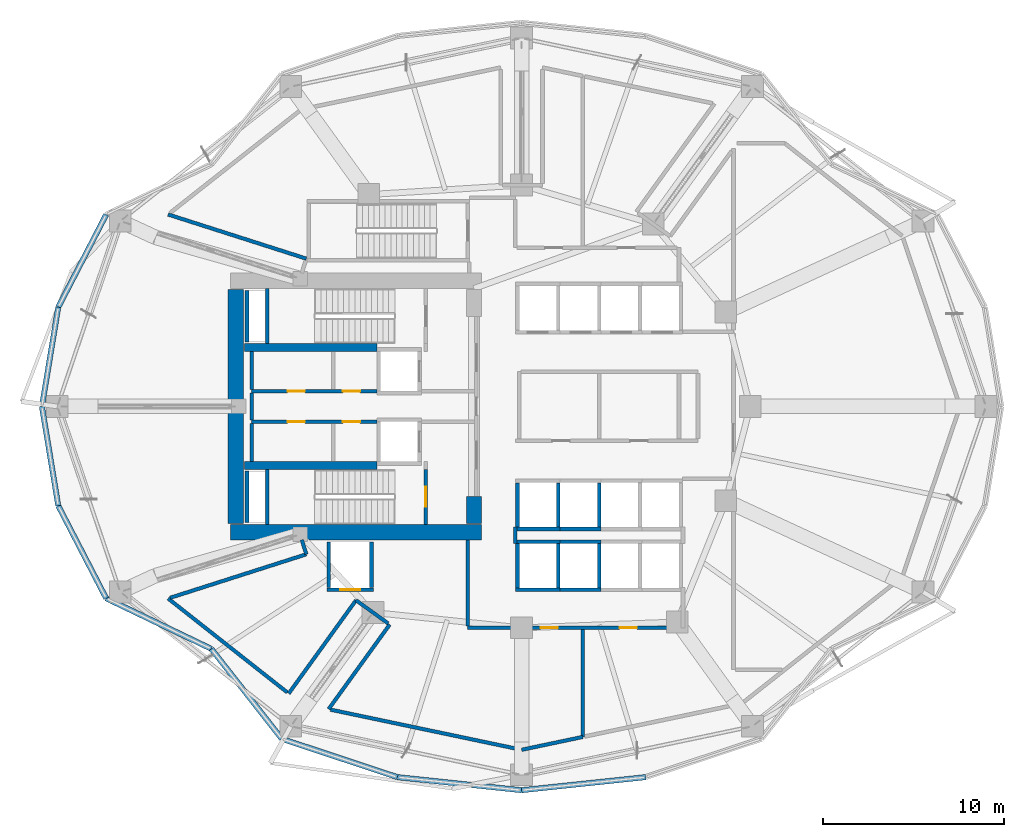
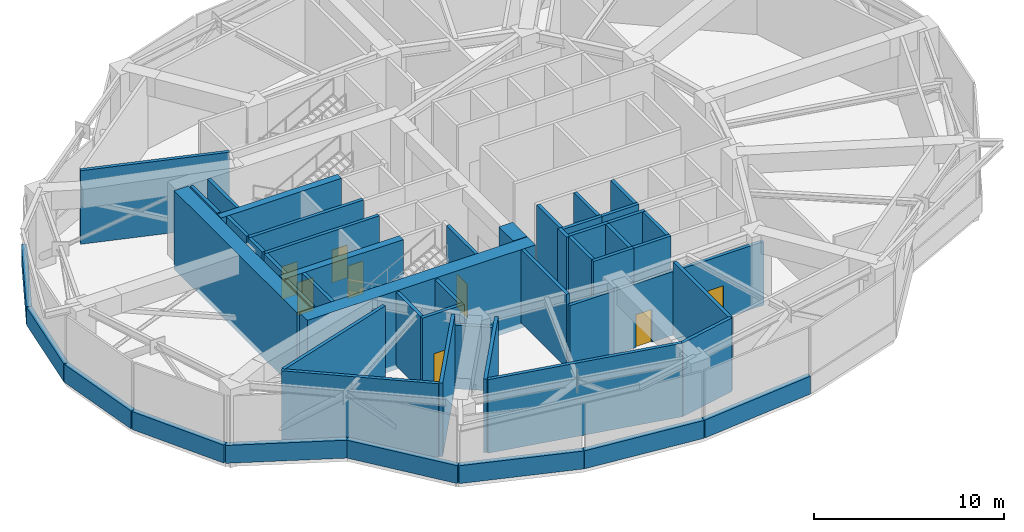
# One storey, part 7 of 12: 52 walls, 8 doors, 8 openings.
"""IFC4 building model written with IfcOpenShell, lengths in metres."""

from ifc_helpers import new_model, si_unit, direction, frame, frame_2d, origin, place, context, subcontext, project, spatial, rectangle, extrude, material, layer, layer_set, type_object, element, fill, save


model = new_model("IFC4")

# Units and contexts
model_context = context("Model", 3, precision=1e-05, world=origin(), true_north=direction((0.0, 1.0)))
body_context = subcontext(model_context, "Body", "Model", "MODEL_VIEW")
ifc_project = project(units=[si_unit("LENGTHUNIT", "METRE"), si_unit("AREAUNIT", "SQUARE_METRE"), si_unit("VOLUMEUNIT", "CUBIC_METRE"), si_unit("PLANEANGLEUNIT", "RADIAN"), si_unit("MASSUNIT", "GRAM", prefix="KILO")], contexts=[model_context])

# Site, building, storey
site_placement = place(None, origin())
site = spatial("IfcSite", under=ifc_project, at=site_placement, CompositionType="ELEMENT")
building_placement = place(site_placement, origin())
building = spatial("IfcBuilding", under=site, at=building_placement, Name="Kolvaren Gate Tower and Convention Centre", CompositionType="ELEMENT")
storey_placement = place(building_placement, frame((0.0, 0.0, 95.800048828125)))
storey = spatial("IfcBuildingStorey", under=building, at=storey_placement, Name="L23", CompositionType="ELEMENT", Elevation=95.800048828125)

# Wall, opening, door
ifc_material_1 = material(Name="Autoclaved Aerated Masonry Blockwork Class 4 (4.0 MPa)", Category="masonry")
ifc_layer_1 = layer(ifc_material_1, 0.199951171875)
ifc_layer_set_1 = layer_set([ifc_layer_1], Name="Autoclaved Aerated Masonry Blockwork Class 4 (4.0 MPa)")
wall_type_1 = type_object("IfcWallType", Name="ARCH-WL-SHAFT-200", PredefinedType="SOLIDWALL", material=ifc_layer_set_1)
wall_1_placement = place(storey_placement, frame((19.39990234375, 16.89990234375, 0.0), z_axis=(0.0, 0.0, 1.0), x_axis=(1.0, 0.0, 0.0)))
wall_1 = element("IfcWall", 1, at=wall_1_placement, inside=storey, type_object=wall_type_1, Name="Elevator SV-01 L23 Fire Shaft Wall S", PredefinedType="SOLIDWALL", context=body_context, shape_type="SweptSolid", body=[
    extrude(rectangle(XDim=2.550048828125, YDim=0.199951171875, at=frame_2d((1.27490234375, 0.0))), origin(), (0.0, 0.0, 1.0), 4.719970703125),
])
opening_1_placement = place(wall_1_placement, frame((0.72509765625, 0.0, 0.0)))
opening_1 = element("IfcOpeningElement", 2, at=opening_1_placement, cuts=wall_1, Name="Opening LD", PredefinedType="OPENING", context=body_context, shape_type="SweptSolid", body=[
    extrude(rectangle(XDim=1.10009765625, YDim=2.199951171875, at=frame_2d((0.550048828125, 1.10009765625))), frame((0.0, 0.10986328125, 0.0), z_axis=(0.0, -1.0, 0.0), x_axis=(1.0, 0.0, 0.0)), (0.0, 0.0, 1.0), 0.219970703125),
])
ifc_material_2 = material(Name="Brushed Stainless Steel Grade 316L", Category="steel")
door_type_1 = type_object("IfcDoorType", Name="ARCH-DR-LIFT-1100", OperationType="SLIDING_TO_LEFT", PredefinedType="DOOR", material=ifc_material_2)
door_1_placement = place(opening_1_placement, origin())
door_1 = element("IfcDoor", 3, at=door_1_placement, inside=storey, type_object=door_type_1, Name="Elevator SV-01 L23 Sliding Landing Door", OperationType="SLIDING_TO_LEFT", OverallHeight=2.199951171875, OverallWidth=1.10009765625, PredefinedType="DOOR", context=body_context, shape_type="SweptSolid", body=[
    extrude(rectangle(XDim=1.10009765625, YDim=2.199951171875, at=frame_2d((0.550048828125, 1.10009765625))), frame((0.0, 0.02490234375, 0.0), z_axis=(0.0, -1.0, 0.0), x_axis=(1.0, 0.0, 0.0)), (0.0, 0.0, 1.0), 0.050048828125),
])
fill(opening_1, door_1)

# Walls
for number, where, z_axis, x_axis, name in (
    (4, (19.5, 17.010009765625, 0.0), (0.0, 0.0, 1.0), (0.0, 1.0, 0.0), "Elevator SV-01 L23 Fire Shaft Wall W"),
    (5, (21.85009765625, 17.010009765625, 0.0), (0.0, 0.0, 1.0), (0.0, 1.0, 0.0), "Elevator SV-01 L23 Fire Shaft Wall E"),
):
    element("IfcWall", number, at=place(storey_placement, frame(where, z_axis=z_axis, x_axis=x_axis)), inside=storey, type_object=wall_type_1, Name=name, PredefinedType="SOLIDWALL", context=body_context, shape_type="SweptSolid", body=[
        extrude(rectangle(XDim=2.530029296875, YDim=0.199951171875, at=frame_2d((1.26513671875, 0.0))), origin(), (0.0, 0.0, 1.0), 4.719970703125),
    ])
for number, where, z_axis, x_axis, name in (
    (6, (29.800048828125, 19.550048828125, 0.0), (0.0, 0.0, 1.0), (1.0, 0.0, 0.0), "Elevator PL-05 L23 Fire Shaft Wall N"),
    (7, (29.800048828125, 16.89990234375, 0.0), (0.0, 0.0, 1.0), (1.0, 0.0, 0.0), "Elevator PL-05 L23 Fire Shaft Wall S"),
):
    element("IfcWall", number, at=place(storey_placement, frame(where, z_axis=z_axis, x_axis=x_axis)), inside=storey, type_object=wall_type_1, Name=name, PredefinedType="SOLIDWALL", context=body_context, shape_type="SweptSolid", body=[
        extrude(rectangle(XDim=2.449951171875, YDim=0.199951171875, at=frame_2d((1.22509765625, 0.0))), origin(), (0.0, 0.0, 1.0), 4.719970703125),
    ])
for number, where, z_axis, x_axis, name in (
    (8, (29.89990234375, 17.010009765625, 0.0), (0.0, 0.0, 1.0), (0.0, 1.0, 0.0), "Elevator PL-05 L23 Fire Shaft Wall W"),
    (9, (32.14990234375, 17.010009765625, 0.0), (0.0, 0.0, 1.0), (0.0, 1.0, 0.0), "Elevator PL-05 L23 Fire Shaft Wall E"),
):
    element("IfcWall", number, at=place(storey_placement, frame(where, z_axis=z_axis, x_axis=x_axis)), inside=storey, type_object=wall_type_1, Name=name, PredefinedType="SOLIDWALL", context=body_context, shape_type="SweptSolid", body=[
        extrude(rectangle(XDim=2.429931640625, YDim=0.199951171875, at=frame_2d((1.21484375, 0.0))), origin(), (0.0, 0.0, 1.0), 4.719970703125),
    ])
for number, where, z_axis, x_axis, name in (
    (10, (32.25, 19.550048828125, 0.0), (0.0, 0.0, 1.0), (1.0, 0.0, 0.0), "Elevator PL-06 L23 Fire Shaft Wall N"),
    (11, (32.25, 16.89990234375, 0.0), (0.0, 0.0, 1.0), (1.0, 0.0, 0.0), "Elevator PL-06 L23 Fire Shaft Wall S"),
):
    element("IfcWall", number, at=place(storey_placement, frame(where, z_axis=z_axis, x_axis=x_axis)), inside=storey, type_object=wall_type_1, Name=name, PredefinedType="SOLIDWALL", context=body_context, shape_type="SweptSolid", body=[
        extrude(rectangle(XDim=2.25, YDim=0.199951171875, at=frame_2d((1.125, 0.0))), origin(), (0.0, 0.0, 1.0), 4.719970703125),
    ])
wall_2_placement = place(storey_placement, frame((34.39990234375, 17.010009765625, 0.0), z_axis=(0.0, 0.0, 1.0), x_axis=(0.0, 1.0, 0.0)))
element("IfcWall", 12, at=wall_2_placement, inside=storey, type_object=wall_type_1, Name="Elevator PL-06 L23 Fire Shaft Wall E", PredefinedType="SOLIDWALL", context=body_context, shape_type="SweptSolid", body=[
    extrude(rectangle(XDim=2.429931640625, YDim=0.199951171875, at=frame_2d((1.21484375, 0.0))), origin(), (0.0, 0.0, 1.0), 4.719970703125),
])
wall_3_placement = place(storey_placement, frame((29.800048828125, 20.25, 0.0), z_axis=(0.0, 0.0, 1.0), x_axis=(1.0, 0.0, 0.0)))
element("IfcWall", 13, at=wall_3_placement, inside=storey, type_object=wall_type_1, Name="Elevator PL-09 L23 Fire Shaft Wall S", PredefinedType="SOLIDWALL", context=body_context, shape_type="SweptSolid", body=[
    extrude(rectangle(XDim=2.449951171875, YDim=0.199951171875, at=frame_2d((1.22509765625, 0.0))), origin(), (0.0, 0.0, 1.0), 4.719970703125),
])
for number, where, z_axis, x_axis, name in (
    (14, (29.89990234375, 20.360107421875, 0.0), (0.0, 0.0, 1.0), (0.0, 1.0, 0.0), "Elevator PL-09 L23 Fire Shaft Wall W"),
    (15, (32.14990234375, 20.360107421875, 0.0), (0.0, 0.0, 1.0), (0.0, 1.0, 0.0), "Elevator PL-09 L23 Fire Shaft Wall E"),
):
    element("IfcWall", number, at=place(storey_placement, frame(where, z_axis=z_axis, x_axis=x_axis)), inside=storey, type_object=wall_type_1, Name=name, PredefinedType="SOLIDWALL", context=body_context, shape_type="SweptSolid", body=[
        extrude(rectangle(XDim=2.429931640625, YDim=0.199951171875, at=frame_2d((1.21484375, 0.0))), origin(), (0.0, 0.0, 1.0), 4.719970703125),
    ])
wall_4_placement = place(storey_placement, frame((32.25, 20.25, 0.0), z_axis=(0.0, 0.0, 1.0), x_axis=(1.0, 0.0, 0.0)))
element("IfcWall", 16, at=wall_4_placement, inside=storey, type_object=wall_type_1, Name="Elevator PL-10 L23 Fire Shaft Wall S", PredefinedType="SOLIDWALL", context=body_context, shape_type="SweptSolid", body=[
    extrude(rectangle(XDim=2.25, YDim=0.199951171875, at=frame_2d((1.125, 0.0))), origin(), (0.0, 0.0, 1.0), 4.719970703125),
])
wall_5_placement = place(storey_placement, frame((34.39990234375, 20.360107421875, 0.0), z_axis=(0.0, 0.0, 1.0), x_axis=(0.0, 1.0, 0.0)))
element("IfcWall", 17, at=wall_5_placement, inside=storey, type_object=wall_type_1, Name="Elevator PL-10 L23 Fire Shaft Wall E", PredefinedType="SOLIDWALL", context=body_context, shape_type="SweptSolid", body=[
    extrude(rectangle(XDim=2.429931640625, YDim=0.199951171875, at=frame_2d((1.21484375, 0.0))), origin(), (0.0, 0.0, 1.0), 4.719970703125),
])
for number, where, z_axis, x_axis, name in (
    (18, (14.989990234375, 30.550048828125, 0.0), (0.0, 0.0, 1.0), (0.0, 1.0, 0.0), "Vertical Shaft HVR L23 EI-120 Enclosure Wall W"),
    (19, (14.989990234375, 20.60009765625, 0.0), (0.0, 0.0, 1.0), (0.0, 1.0, 0.0), "Vertical Shaft MPR L23 EI-120 Enclosure Wall W"),
):
    element("IfcWall", number, at=place(storey_placement, frame(where, z_axis=z_axis, x_axis=x_axis)), inside=storey, type_object=wall_type_1, Name=name, PredefinedType="SOLIDWALL", context=body_context, shape_type="SweptSolid", body=[
        extrude(rectangle(XDim=2.849853515625, YDim=0.199951171875, at=frame_2d((1.4248046875, 0.0))), origin(), (0.0, 0.0, 1.0), 4.719970703125),
    ])

# Wall, openings, doors
wall_6_placement = place(storey_placement, frame((15.25, 27.840087890625, 0.0), z_axis=(0.0, 0.0, 1.0), x_axis=(1.0, 0.0, 0.0)))
wall_6 = element("IfcWall", 20, at=wall_6_placement, inside=storey, type_object=wall_type_1, Name="Interior Partition WL-L23-INT-004", PredefinedType="SOLIDWALL", context=body_context, shape_type="SweptSolid", body=[
    extrude(rectangle(XDim=6.89990234375, YDim=0.199951171875, at=frame_2d((3.449951171875, 0.0))), origin(), (0.0, 0.0, 1.0), 4.719970703125),
])
opening_2_placement = place(wall_6_placement, frame((5.02001953125, 0.0, 0.0)))
opening_2 = element("IfcOpeningElement", 21, at=opening_2_placement, cuts=wall_6, Name="Opening DR-01", PredefinedType="OPENING", context=body_context, shape_type="SweptSolid", body=[
    extrude(rectangle(XDim=0.949951171875, YDim=2.10009765625, at=frame_2d((0.47509765625, 1.050048828125))), frame((0.0, 0.10986328125, 0.0), z_axis=(0.0, -1.0, 0.0), x_axis=(1.0, 0.0, 0.0)), (0.0, 0.0, 1.0), 0.219970703125),
])
opening_3_placement = place(wall_6_placement, frame((1.97998046875, 0.0, 0.0)))
opening_3 = element("IfcOpeningElement", 22, at=opening_3_placement, cuts=wall_6, Name="Opening DR-01", PredefinedType="OPENING", context=body_context, shape_type="SweptSolid", body=[
    extrude(rectangle(XDim=0.949951171875, YDim=2.10009765625, at=frame_2d((0.47509765625, 1.050048828125))), frame((0.0, 0.10986328125, 0.0), z_axis=(0.0, -1.0, 0.0), x_axis=(1.0, 0.0, 0.0)), (0.0, 0.0, 1.0), 0.219970703125),
])
ifc_material_3 = material(Name="Painted Architectural Steelwork ASTM A500 Grade C 345 MPa", Category="steel")
door_type_2 = type_object("IfcDoorType", Name="ARCH-DR-RISER-950", OperationType="SINGLE_SWING_RIGHT", PredefinedType="DOOR", material=ifc_material_3)
door_2_placement = place(opening_2_placement, origin())
door_2 = element("IfcDoor", 23, at=door_2_placement, inside=storey, type_object=door_type_2, Name="Electrical Switchgear Closet Door", OperationType="SINGLE_SWING_RIGHT", OverallHeight=2.10009765625, OverallWidth=0.949951171875, PredefinedType="DOOR", context=body_context, shape_type="SweptSolid", body=[
    extrude(rectangle(XDim=0.949951171875, YDim=2.10009765625, at=frame_2d((0.47509765625, 1.050048828125))), frame((0.0, 0.02490234375, 0.0), z_axis=(0.0, -1.0, 0.0), x_axis=(1.0, 0.0, 0.0)), (0.0, 0.0, 1.0), 0.050048828125),
])
fill(opening_2, door_2)
door_3_placement = place(opening_3_placement, origin())
door_3 = element("IfcDoor", 24, at=door_3_placement, inside=storey, type_object=door_type_2, Name="Telecom Distribution Closet Door", OperationType="SINGLE_SWING_RIGHT", OverallHeight=2.10009765625, OverallWidth=0.949951171875, PredefinedType="DOOR", context=body_context, shape_type="SweptSolid", body=[
    extrude(rectangle(XDim=0.949951171875, YDim=2.10009765625, at=frame_2d((0.47509765625, 1.050048828125))), frame((0.0, 0.02490234375, 0.0), z_axis=(0.0, -1.0, 0.0), x_axis=(1.0, 0.0, 0.0)), (0.0, 0.0, 1.0), 0.050048828125),
])
fill(opening_3, door_3)

wall_7_placement = place(storey_placement, frame((15.25, 26.159912109375, 0.0), z_axis=(0.0, 0.0, 1.0), x_axis=(1.0, 0.0, 0.0)))
wall_7 = element("IfcWall", 25, at=wall_7_placement, inside=storey, type_object=wall_type_1, Name="Interior Partition WL-L23-INT-005", PredefinedType="SOLIDWALL", context=body_context, shape_type="SweptSolid", body=[
    extrude(rectangle(XDim=6.89990234375, YDim=0.199951171875, at=frame_2d((3.449951171875, 0.0))), origin(), (0.0, 0.0, 1.0), 4.719970703125),
])
opening_4_placement = place(wall_7_placement, frame((5.02001953125, 0.0, 0.0)))
opening_4 = element("IfcOpeningElement", 26, at=opening_4_placement, cuts=wall_7, Name="Opening DR-01", PredefinedType="OPENING", context=body_context, shape_type="SweptSolid", body=[
    extrude(rectangle(XDim=0.949951171875, YDim=2.10009765625, at=frame_2d((0.47509765625, 1.050048828125))), frame((0.0, 0.10986328125, 0.0), z_axis=(0.0, -1.0, 0.0), x_axis=(1.0, 0.0, 0.0)), (0.0, 0.0, 1.0), 0.219970703125),
])
opening_5_placement = place(wall_7_placement, frame((1.97998046875, 0.0, 0.0)))
opening_5 = element("IfcOpeningElement", 27, at=opening_5_placement, cuts=wall_7, Name="Opening DR-01", PredefinedType="OPENING", context=body_context, shape_type="SweptSolid", body=[
    extrude(rectangle(XDim=0.949951171875, YDim=2.10009765625, at=frame_2d((0.47509765625, 1.050048828125))), frame((0.0, 0.10986328125, 0.0), z_axis=(0.0, -1.0, 0.0), x_axis=(1.0, 0.0, 0.0)), (0.0, 0.0, 1.0), 0.219970703125),
])
door_4_placement = place(opening_4_placement, origin())
door_4 = element("IfcDoor", 28, at=door_4_placement, inside=storey, type_object=door_type_2, Name="Domestic Water Meter Closet Door", OperationType="SINGLE_SWING_LEFT", OverallHeight=2.10009765625, OverallWidth=0.949951171875, PredefinedType="DOOR", context=body_context, shape_type="SweptSolid", body=[
    extrude(rectangle(XDim=0.949951171875, YDim=2.10009765625, at=frame_2d((0.47509765625, 1.050048828125))), frame((0.0, 0.02490234375, 0.0), z_axis=(0.0, -1.0, 0.0), x_axis=(1.0, 0.0, 0.0)), (0.0, 0.0, 1.0), 0.050048828125),
])
fill(opening_4, door_4)
door_5_placement = place(opening_5_placement, origin())
door_5 = element("IfcDoor", 29, at=door_5_placement, inside=storey, type_object=door_type_2, Name="Smoke Damper Control Closet Door", OperationType="SINGLE_SWING_LEFT", OverallHeight=2.10009765625, OverallWidth=0.949951171875, PredefinedType="DOOR", context=body_context, shape_type="SweptSolid", body=[
    extrude(rectangle(XDim=0.949951171875, YDim=2.10009765625, at=frame_2d((0.47509765625, 1.050048828125))), frame((0.0, 0.02490234375, 0.0), z_axis=(0.0, -1.0, 0.0), x_axis=(1.0, 0.0, 0.0)), (0.0, 0.0, 1.0), 0.050048828125),
])
fill(opening_5, door_5)

# Walls
wall_8_placement = place(storey_placement, frame((15.25, 23.9619140625, 0.0), z_axis=(0.0, 0.0, 1.0), x_axis=(0.0, 1.0, 0.0)))
element("IfcWall", 30, at=wall_8_placement, inside=storey, type_object=wall_type_1, Name="Interior Partition WL-L23-INT-006", PredefinedType="SOLIDWALL", context=body_context, shape_type="SweptSolid", body=[
    extrude(rectangle(XDim=2.09619140625, YDim=0.199951171875, at=frame_2d((1.048095703125, 0.0))), origin(), (0.0, 0.0, 1.0), 4.719970703125),
])
wall_9_placement = place(storey_placement, frame((15.25, 26.261962890625, 0.0), z_axis=(0.0, 0.0, 1.0), x_axis=(0.0, 1.0, 0.0)))
element("IfcWall", 31, at=wall_9_placement, inside=storey, type_object=wall_type_1, Name="Interior Partition WL-L23-INT-006 (2)", PredefinedType="SOLIDWALL", context=body_context, shape_type="SweptSolid", body=[
    extrude(rectangle(XDim=1.47607421875, YDim=0.199951171875, at=frame_2d((0.738037109375, 0.0))), origin(), (0.0, 0.0, 1.0), 4.719970703125),
])
wall_10_placement = place(storey_placement, frame((15.25, 27.94189453125, 0.0), z_axis=(0.0, 0.0, 1.0), x_axis=(0.0, 1.0, 0.0)))
element("IfcWall", 32, at=wall_10_placement, inside=storey, type_object=wall_type_1, Name="Interior Partition WL-L23-INT-006 (3)", PredefinedType="SOLIDWALL", context=body_context, shape_type="SweptSolid", body=[
    extrude(rectangle(XDim=2.09619140625, YDim=0.199951171875, at=frame_2d((1.048095703125, 0.0))), origin(), (0.0, 0.0, 1.0), 4.719970703125),
])

# Wall, openings, doors
wall_11_placement = place(storey_placement, frame((27.14990234375, 14.800048828125, 0.0), z_axis=(0.0, 0.0, 1.0), x_axis=(1.0, 0.0, 0.0)))
wall_11 = element("IfcWall", 33, at=wall_11_placement, inside=storey, type_object=wall_type_1, Name="Interior Partition WL-L23-INT-016", PredefinedType="SOLIDWALL", context=body_context, shape_type="SweptSolid", body=[
    extrude(rectangle(XDim=11.76806640625, YDim=0.199951171875, at=frame_2d((5.884033203125, 0.0))), origin(), (0.0, 0.0, 1.0), 4.083984375),
])
opening_6_placement = place(wall_11_placement, frame((4.02490234375, 0.0, 0.0)))
opening_6 = element("IfcOpeningElement", 34, at=opening_6_placement, cuts=wall_11, Name="Opening DR-01", PredefinedType="OPENING", context=body_context, shape_type="SweptSolid", body=[
    extrude(rectangle(XDim=0.949951171875, YDim=2.10009765625, at=frame_2d((0.47509765625, 1.050048828125))), frame((0.0, 0.10986328125, 0.0), z_axis=(0.0, -1.0, 0.0), x_axis=(1.0, 0.0, 0.0)), (0.0, 0.0, 1.0), 0.219970703125),
])
opening_7_placement = place(wall_11_placement, frame((8.37890625, 0.0, 0.0)))
opening_7 = element("IfcOpeningElement", 35, at=opening_7_placement, cuts=wall_11, Name="Opening DR-01", PredefinedType="OPENING", context=body_context, shape_type="SweptSolid", body=[
    extrude(rectangle(XDim=0.949951171875, YDim=2.10009765625, at=frame_2d((0.47509765625, 1.050048828125))), frame((0.0, 0.10986328125, 0.0), z_axis=(0.0, -1.0, 0.0), x_axis=(1.0, 0.0, 0.0)), (0.0, 0.0, 1.0), 0.219970703125),
])
door_6_placement = place(opening_6_placement, origin())
door_6 = element("IfcDoor", 36, at=door_6_placement, inside=storey, type_object=door_type_2, Name="High-Altitude HVAC Air-Handling Plant Room Door", OperationType="SINGLE_SWING_LEFT", OverallHeight=2.10009765625, OverallWidth=0.949951171875, PredefinedType="DOOR", context=body_context, shape_type="SweptSolid", body=[
    extrude(rectangle(XDim=0.949951171875, YDim=2.10009765625, at=frame_2d((0.47509765625, 1.050048828125))), frame((0.0, 0.02490234375, 0.0), z_axis=(0.0, -1.0, 0.0), x_axis=(1.0, 0.0, 0.0)), (0.0, 0.0, 1.0), 0.050048828125),
])
fill(opening_6, door_6)
door_7_placement = place(opening_7_placement, origin())
door_7 = element("IfcDoor", 37, at=door_7_placement, inside=storey, type_object=door_type_2, Name="Zone Domestic and Hydronic Booster Pump Plant Door", OperationType="SINGLE_SWING_RIGHT", OverallHeight=2.10009765625, OverallWidth=0.949951171875, PredefinedType="DOOR", context=body_context, shape_type="SweptSolid", body=[
    extrude(rectangle(XDim=0.949951171875, YDim=2.10009765625, at=frame_2d((0.47509765625, 1.050048828125))), frame((0.0, 0.02490234375, 0.0), z_axis=(0.0, -1.0, 0.0), x_axis=(1.0, 0.0, 0.0)), (0.0, 0.0, 1.0), 0.050048828125),
])
fill(opening_7, door_7)

# Walls
wall_12_placement = place(storey_placement, frame((27.14990234375, 14.902099609375, 0.0), z_axis=(0.0, 0.0, 1.0), x_axis=(0.0, 1.0, 0.0)))
element("IfcWall", 38, at=wall_12_placement, inside=storey, type_object=wall_type_1, Name="Interior Partition WL-L23-INT-017", PredefinedType="SOLIDWALL", context=body_context, shape_type="SweptSolid", body=[
    extrude(rectangle(XDim=4.745849609375, YDim=0.199951171875, at=frame_2d((2.373046875, 0.0))), origin(), (0.0, 0.0, 1.0), 4.719970703125),
])
wall_13_placement = place(storey_placement, frame((29.780029296875, 19.43994140625, 0.0), z_axis=(0.0, 0.0, 1.0), x_axis=(0.0, 1.0, 0.0)))
element("IfcWall", 39, at=wall_13_placement, inside=storey, type_object=wall_type_1, Name="Interior Partition WL-L23-INT-020", PredefinedType="SOLIDWALL", context=body_context, shape_type="SweptSolid", body=[
    extrude(rectangle(XDim=0.920166015625, YDim=0.199951171875, at=frame_2d((0.4599609375, 0.0))), origin(), (0.0, 0.0, 1.0), 4.719970703125),
])
wall_14_placement = place(storey_placement, frame((19.489013671875, 10.31982421875, 0.0), z_axis=(0.0, 0.0, 1.0), x_axis=(0.585467301876, 0.810696020981, 0.0)))
element("IfcWall", 40, at=wall_14_placement, inside=storey, type_object=wall_type_1, Name="Interior Partition WL-L23-INT-027", PredefinedType="SOLIDWALL", context=body_context, shape_type="SweptSolid", body=[
    extrude(rectangle(XDim=5.75048828125, YDim=0.199951171875, at=frame_2d((2.875244140625, 0.0))), origin(), (0.0, 0.0, 1.0), 4.719970703125),
])
wall_15_placement = place(storey_placement, frame((21.0, 16.321044921875, 0.0), z_axis=(0.0, 0.0, 1.0), x_axis=(0.810864655863, -0.585233722433, 0.0)))
element("IfcWall", 41, at=wall_15_placement, inside=storey, type_object=wall_type_1, Name="Interior Partition WL-L23-INT-035", PredefinedType="SOLIDWALL", context=body_context, shape_type="SweptSolid", body=[
    extrude(rectangle(XDim=2.186767578125, YDim=0.199951171875, at=frame_2d((1.09326171875, 0.0))), origin(), (0.0, 0.0, 1.0), 4.083984375),
])
wall_16_placement = place(storey_placement, frame((17.2900390625, 11.180908203125, 0.0), z_axis=(0.0, 0.0, 1.0), x_axis=(0.58524585539, 0.81085589888, 0.0)))
element("IfcWall", 42, at=wall_16_placement, inside=storey, type_object=wall_type_1, Name="Interior Partition WL-L23-INT-036", PredefinedType="SOLIDWALL", context=body_context, shape_type="SweptSolid", body=[
    extrude(rectangle(XDim=6.339111328125, YDim=0.199951171875, at=frame_2d((3.16943359375, 0.0))), origin(), (0.0, 0.0, 1.0), 4.719970703125),
])
wall_17_placement = place(storey_placement, frame((10.64306640625, 16.4189453125, 0.0), z_axis=(0.0, 0.0, 1.0), x_axis=(0.785428864587, -0.618951935673, 0.0)))
element("IfcWall", 43, at=wall_17_placement, inside=storey, type_object=wall_type_1, Name="Interior Partition WL-L23-INT-038", PredefinedType="SOLIDWALL", context=body_context, shape_type="SweptSolid", body=[
    extrude(rectangle(XDim=8.360595703125, YDim=0.199951171875, at=frame_2d((4.18017578125, 0.0))), origin(), (0.0, 0.0, 1.0), 4.719970703125),
])
wall_18_placement = place(storey_placement, frame((10.76025390625, 16.45654296875, 0.0), z_axis=(0.0, 0.0, 1.0), x_axis=(0.95252485138, 0.304460847241, 0.0)))
element("IfcWall", 44, at=wall_18_placement, inside=storey, type_object=wall_type_1, Name="Interior Partition WL-L23-INT-039", PredefinedType="SOLIDWALL", context=body_context, shape_type="SweptSolid", body=[
    extrude(rectangle(XDim=7.877685546875, YDim=0.199951171875, at=frame_2d((3.93896484375, 0.0))), origin(), (0.0, 0.0, 1.0), 4.719970703125),
])
wall_19_placement = place(storey_placement, frame((18.010498046875, 19.64794921875, 0.0), z_axis=(0.0, 0.0, 1.0), x_axis=(0.30441390655, -0.952539854021, 0.0)))
element("IfcWall", 45, at=wall_19_placement, inside=storey, type_object=wall_type_1, Name="Interior Partition WL-L23-INT-040", PredefinedType="SOLIDWALL", context=body_context, shape_type="SweptSolid", body=[
    extrude(rectangle(XDim=0.83251953125, YDim=0.199951171875, at=frame_2d((0.416259765625, 0.0))), origin(), (0.0, 0.0, 1.0), 4.083984375),
])
wall_20_placement = place(storey_placement, frame((33.5, 8.7890625, 0.0), z_axis=(0.0, 0.0, 1.0), x_axis=(0.0, 1.0, 0.0)))
element("IfcWall", 46, at=wall_20_placement, inside=storey, type_object=wall_type_1, Name="Interior Partition WL-L23-INT-041", PredefinedType="SOLIDWALL", context=body_context, shape_type="SweptSolid", body=[
    extrude(rectangle(XDim=5.908935546875, YDim=0.199951171875, at=frame_2d((2.95458984375, 0.0))), origin(), (0.0, 0.0, 1.0), 4.719970703125),
])
wall_21_placement = place(storey_placement, frame((30.125, 8.0791015625, 0.0), z_axis=(0.0, 0.0, 1.0), x_axis=(0.978582819635, 0.205853504015, 0.0)))
element("IfcWall", 47, at=wall_21_placement, inside=storey, type_object=wall_type_1, Name="Interior Partition WL-L23-INT-043", PredefinedType="SOLIDWALL", context=body_context, shape_type="SweptSolid", body=[
    extrude(rectangle(XDim=3.448974609375, YDim=0.199951171875, at=frame_2d((1.724609375, 0.0))), origin(), (0.0, 0.0, 1.0), 4.719970703125),
])
wall_22_placement = place(storey_placement, frame((19.5947265625, 10.2919921875, 0.0), z_axis=(0.0, 0.0, 1.0), x_axis=(0.978624828586, -0.205653701342, 0.0)))
element("IfcWall", 48, at=wall_22_placement, inside=storey, type_object=wall_type_1, Name="Interior Partition WL-L23-INT-044", PredefinedType="SOLIDWALL", context=body_context, shape_type="SweptSolid", body=[
    extrude(rectangle(XDim=10.76025390625, YDim=0.199951171875, at=frame_2d((5.380126953125, 0.0))), origin(), (0.0, 0.0, 1.0), 4.719970703125),
])
wall_23_placement = place(storey_placement, frame((10.64306640625, 37.5810546875, 0.0), z_axis=(0.0, 0.0, 1.0), x_axis=(0.952519763544, -0.304476764397, 0.0)))
element("IfcWall", 49, at=wall_23_placement, inside=storey, type_object=wall_type_1, Name="Interior Partition WL-L23-INT-047", PredefinedType="SOLIDWALL", context=body_context, shape_type="SweptSolid", body=[
    extrude(rectangle(XDim=8.000732421875, YDim=0.199951171875, at=frame_2d((4.00048828125, 0.0))), origin(), (0.0, 0.0, 1.0), 4.719970703125),
])
ifc_material_4 = material(Name="Piedmont Cream Honed Limestone Cladding", Category="masonry")
ifc_layer_2 = layer(ifc_material_4, 0.300048828125)
ifc_layer_set_2 = layer_set([ifc_layer_2], Name="Piedmont Cream Honed Limestone Cladding")
wall_type_2 = type_object("IfcWallType", Name="ARCH-WL-STONE-300", PredefinedType="SOLIDWALL", material=ifc_layer_set_2)
wall_24_placement = place(storey_placement, frame((4.58837890625, 32.47412109375, 0.0), z_axis=(0.0, 0.0, 1.0), x_axis=(0.459800981414, 0.888021991558, 0.0)))
element("IfcWall", 50, at=wall_24_placement, inside=storey, type_object=wall_type_2, Name="Plant Floor L23 Stone Sill Wall EW-10", PredefinedType="SOLIDWALL", context=body_context, shape_type="SweptSolid", body=[
    extrude(rectangle(XDim=5.744140625, YDim=0.300048828125, at=frame_2d((2.8720703125, 0.0))), origin(), (0.0, 0.0, 1.0), 1.14990234375),
])
for number, where, z_axis, x_axis, name in (
    (51, (3.6875, 27.0, 0.0), (0.0, 0.0, 1.0), (0.162386212206, 0.986727276447, 0.0), "Plant Floor L23 Stone Sill Wall EW-11"),
    (52, (3.6875, 27.0, 0.0), (0.0, 0.0, 1.0), (0.162386212206, -0.986727276447, 0.0), "Plant Floor L23 Stone Sill Wall EW-12"),
):
    element("IfcWall", number, at=place(storey_placement, frame(where, z_axis=z_axis, x_axis=x_axis)), inside=storey, type_object=wall_type_2, Name=name, PredefinedType="SOLIDWALL", context=body_context, shape_type="SweptSolid", body=[
        extrude(rectangle(XDim=5.5478515625, YDim=0.300048828125, at=frame_2d((2.77392578125, 0.0))), origin(), (0.0, 0.0, 1.0), 1.14990234375),
    ])
wall_25_placement = place(storey_placement, frame((4.58837890625, 21.52587890625, 0.0), z_axis=(0.0, 0.0, 1.0), x_axis=(0.459800981414, -0.888021991558, 0.0)))
element("IfcWall", 53, at=wall_25_placement, inside=storey, type_object=wall_type_2, Name="Plant Floor L23 Stone Sill Wall EW-13", PredefinedType="SOLIDWALL", context=body_context, shape_type="SweptSolid", body=[
    extrude(rectangle(XDim=5.744140625, YDim=0.300048828125, at=frame_2d((2.8720703125, 0.0))), origin(), (0.0, 0.0, 1.0), 1.14990234375),
])
wall_26_placement = place(storey_placement, frame((7.2294921875, 16.425048828125, 0.0), z_axis=(0.0, 0.0, 1.0), x_axis=(0.901354747727, -0.433081538224, 0.0)))
element("IfcWall", 54, at=wall_26_placement, inside=storey, type_object=wall_type_2, Name="Plant Floor L23 Stone Sill Wall EW-14", PredefinedType="SOLIDWALL", context=body_context, shape_type="SweptSolid", body=[
    extrude(rectangle(XDim=6.430908203125, YDim=0.300048828125, at=frame_2d((3.21533203125, 0.0))), origin(), (0.0, 0.0, 1.0), 1.14990234375),
])
wall_27_placement = place(storey_placement, frame((13.026123046875, 13.639892578125, 0.0), z_axis=(0.0, 0.0, 1.0), x_axis=(0.616434798832, -0.78740595552, 0.0)))
element("IfcWall", 55, at=wall_27_placement, inside=storey, type_object=wall_type_2, Name="Plant Floor L23 Stone Sill Wall EW-15", PredefinedType="SOLIDWALL", context=body_context, shape_type="SweptSolid", body=[
    extrude(rectangle(XDim=6.29443359375, YDim=0.300048828125, at=frame_2d((3.147216796875, 0.0))), origin(), (0.0, 0.0, 1.0), 1.14990234375),
])
wall_28_placement = place(storey_placement, frame((16.90625, 8.68359375, 0.0), z_axis=(0.0, 0.0, 1.0), x_axis=(0.949245153629, -0.314537181127, 0.0)))
element("IfcWall", 56, at=wall_28_placement, inside=storey, type_object=wall_type_2, Name="Plant Floor L23 Stone Sill Wall EW-16", PredefinedType="SOLIDWALL", context=body_context, shape_type="SweptSolid", body=[
    extrude(rectangle(XDim=6.717041015625, YDim=0.300048828125, at=frame_2d((3.3583984375, 0.0))), origin(), (0.0, 0.0, 1.0), 1.14990234375),
])
for number, where, z_axis, x_axis, name in (
    (57, (23.282470703125, 6.57080078125, 0.0), (0.0, 0.0, 1.0), (0.994498840295, -0.104747585419, 0.0), "Plant Floor L23 Stone Sill Wall EW-17"),
    (58, (30.125, 5.85009765625, 0.0), (0.0, 0.0, 1.0), (0.994498840295, 0.104747585419, 0.0), "Plant Floor L23 Stone Sill Wall EW-18"),
):
    element("IfcWall", number, at=place(storey_placement, frame(where, z_axis=z_axis, x_axis=x_axis)), inside=storey, type_object=wall_type_2, Name=name, PredefinedType="SOLIDWALL", context=body_context, shape_type="SweptSolid", body=[
        extrude(rectangle(XDim=6.88037109375, YDim=0.300048828125, at=frame_2d((3.440185546875, 0.0))), origin(), (0.0, 0.0, 1.0), 1.14990234375),
    ])
ifc_material_5 = material(Name="Concrete C50/60", Category="concrete")
ifc_layer_3 = layer(ifc_material_5, 0.419921875)
ifc_layer_set_3 = layer_set([ifc_layer_3], Name="Concrete C50/60")
wall_type_3 = type_object("IfcWallType", Name="STR-WL-CONV-420", PredefinedType="SHEAR", material=ifc_layer_set_3)
for number, where, z_axis, x_axis, name in (
    (59, (14.85009765625, 30.25, -0.320068359375), (0.0, 0.0, 1.0), (1.0, 0.0, 0.0), "Tower L23 Offset Core Shear Wall WN"),
    (60, (14.85009765625, 23.75, -0.320068359375), (0.0, 0.0, 1.0), (1.0, 0.0, 0.0), "Tower L23 Offset Core Shear Wall WS"),
):
    element("IfcWall", number, at=place(storey_placement, frame(where, z_axis=z_axis, x_axis=x_axis)), inside=storey, type_object=wall_type_3, Name=name, PredefinedType="SHEAR", context=body_context, shape_type="SweptSolid", body=[
        extrude(rectangle(XDim=7.2998046875, YDim=0.419921875, at=frame_2d((3.64990234375, 0.0))), origin(), (0.0, 0.0, 1.0), 5.0400390625),
    ])
ifc_material_6 = material(Name="Concrete C70/85", Category="concrete")
ifc_layer_4 = layer(ifc_material_6, 0.85009765625)
ifc_layer_set_4 = layer_set([ifc_layer_4], Name="Concrete C70/85")
wall_type_4 = type_object("IfcWallType", Name="STR-WL-CORE-850", PredefinedType="SHEAR", material=ifc_layer_set_4)
wall_29_placement = place(storey_placement, frame((14.074951171875, 20.074951171875, -0.320068359375), z_axis=(0.0, 0.0, 1.0), x_axis=(1.0, 0.0, 0.0)))
element("IfcWall", 61, at=wall_29_placement, inside=storey, type_object=wall_type_4, Name="Tower L23 Offset Core Shear Wall S", PredefinedType="SHEAR", context=body_context, shape_type="SweptSolid", body=[
    extrude(rectangle(XDim=13.85009765625, YDim=0.85009765625, at=frame_2d((6.925048828125, 0.0))), origin(), (0.0, 0.0, 1.0), 5.0400390625),
])
wall_30_placement = place(storey_placement, frame((14.375, 20.550048828125, -0.320068359375), z_axis=(0.0, 0.0, 1.0), x_axis=(0.0, 1.0, 0.0)))
element("IfcWall", 62, at=wall_30_placement, inside=storey, type_object=wall_type_4, Name="Tower L23 Offset Core Shear Wall W", PredefinedType="SHEAR", context=body_context, shape_type="SweptSolid", body=[
    extrude(rectangle(XDim=12.89990234375, YDim=0.85009765625, at=frame_2d((6.449951171875, 0.0))), origin(), (0.0, 0.0, 1.0), 5.0400390625),
])
wall_31_placement = place(storey_placement, frame((27.5, 20.550048828125, -0.320068359375), z_axis=(0.0, 0.0, 1.0), x_axis=(0.0, 1.0, 0.0)))
element("IfcWall", 63, at=wall_31_placement, inside=storey, type_object=wall_type_4, Name="Tower L23 Offset Core Shear Wall ES", PredefinedType="SHEAR", context=body_context, shape_type="SweptSolid", body=[
    extrude(rectangle(XDim=1.5, YDim=0.85009765625, at=frame_2d((0.75, 0.0))), origin(), (0.0, 0.0, 1.0), 5.0400390625),
])
ifc_layer_5 = layer(ifc_material_5, 0.199951171875)
ifc_layer_set_5 = layer_set([ifc_layer_5], Name="Concrete C50/60")
wall_type_5 = type_object("IfcWallType", Name="STR-WL-SHAFT-200", PredefinedType="SHEAR", material=ifc_layer_set_5)
wall_32_placement = place(storey_placement, frame((16.10009765625, 30.4619140625, -0.320068359375), z_axis=(0.0, 0.0, 1.0), x_axis=(0.0, 1.0, 0.0)))
element("IfcWall", 64, at=wall_32_placement, inside=storey, type_object=wall_type_5, Name="Tower North Exit Stair ST-T1 L23 Structural Shear Enclosure Wall FAR", PredefinedType="SHEAR", context=body_context, shape_type="SweptSolid", body=[
    extrude(rectangle(XDim=3.0361328125, YDim=0.199951171875, at=frame_2d((1.51806640625, 0.0))), origin(), (0.0, 0.0, 1.0), 5.0400390625),
])

# Wall, opening, door
wall_33_placement = place(storey_placement, frame((24.85009765625, 20.501953125, -0.320068359375), z_axis=(0.0, 0.0, 1.0), x_axis=(0.0, 1.0, 0.0)))
wall_33 = element("IfcWall", 65, at=wall_33_placement, inside=storey, type_object=wall_type_5, Name="Tower South Exit Stair ST-T2 L23 Structural Shear Enclosure Wall NEAR", PredefinedType="SHEAR", context=body_context, shape_type="SweptSolid", body=[
    extrude(rectangle(XDim=3.0380859375, YDim=0.199951171875, at=frame_2d((1.51904296875, 0.0))), origin(), (0.0, 0.0, 1.0), 5.0400390625),
])
opening_8_placement = place(wall_33_placement, frame((0.968994140625, 0.0, 0.320068359375)))
opening_8 = element("IfcOpeningElement", 66, at=opening_8_placement, cuts=wall_33, Name="Opening DS-01", PredefinedType="OPENING", context=body_context, shape_type="SweptSolid", body=[
    extrude(rectangle(XDim=1.10009765625, YDim=2.14990234375, at=frame_2d((0.550048828125, 1.074951171875))), frame((0.0, 0.10986328125, 0.0), z_axis=(0.0, -1.0, 0.0), x_axis=(1.0, 0.0, 0.0)), (0.0, 0.0, 1.0), 0.219970703125),
])
door_type_3 = type_object("IfcDoorType", Name="ARCH-DR-STAIR-1100", OperationType="SINGLE_SWING_LEFT", PredefinedType="DOOR", material=ifc_material_3)
door_8_placement = place(opening_8_placement, origin())
door_8 = element("IfcDoor", 67, at=door_8_placement, inside=storey, type_object=door_type_3, Name="Tower South Exit Stair ST-T2 L23 Fire Exit Stair Door", OperationType="SINGLE_SWING_LEFT", OverallHeight=2.14990234375, OverallWidth=1.10009765625, PredefinedType="DOOR", context=body_context, shape_type="SweptSolid", body=[
    extrude(rectangle(XDim=1.10009765625, YDim=2.14990234375, at=frame_2d((0.550048828125, 1.074951171875))), frame((0.0, 0.02490234375, 0.0), z_axis=(0.0, -1.0, 0.0), x_axis=(1.0, 0.0, 0.0)), (0.0, 0.0, 1.0), 0.050048828125),
])
fill(opening_8, door_8)

# Wall
wall_34_placement = place(storey_placement, frame((16.10009765625, 20.501953125, -0.320068359375), z_axis=(0.0, 0.0, 1.0), x_axis=(0.0, 1.0, 0.0)))
element("IfcWall", 68, at=wall_34_placement, inside=storey, type_object=wall_type_5, Name="Tower South Exit Stair ST-T2 L23 Structural Shear Enclosure Wall FAR", PredefinedType="SHEAR", context=body_context, shape_type="SweptSolid", body=[
    extrude(rectangle(XDim=3.0361328125, YDim=0.199951171875, at=frame_2d((1.51806640625, 0.0))), origin(), (0.0, 0.0, 1.0), 5.0400390625),
])

save(model, "model.ifc")
